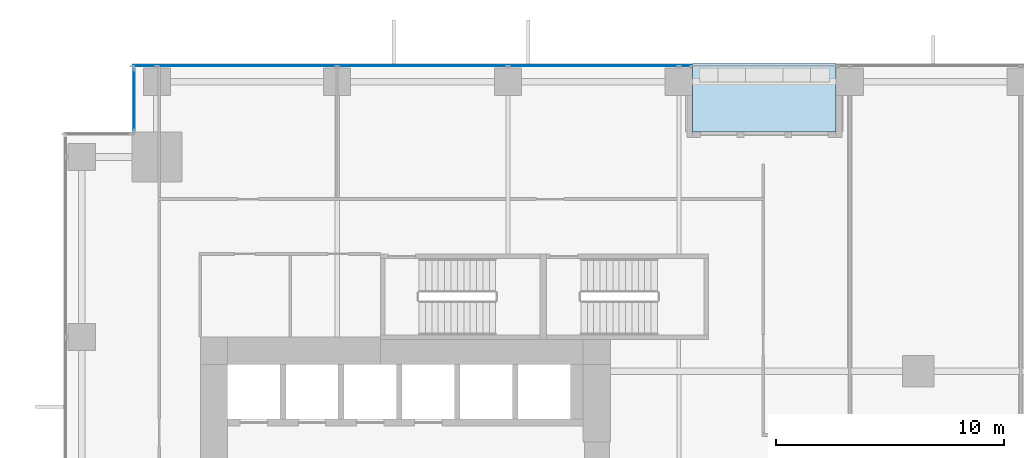
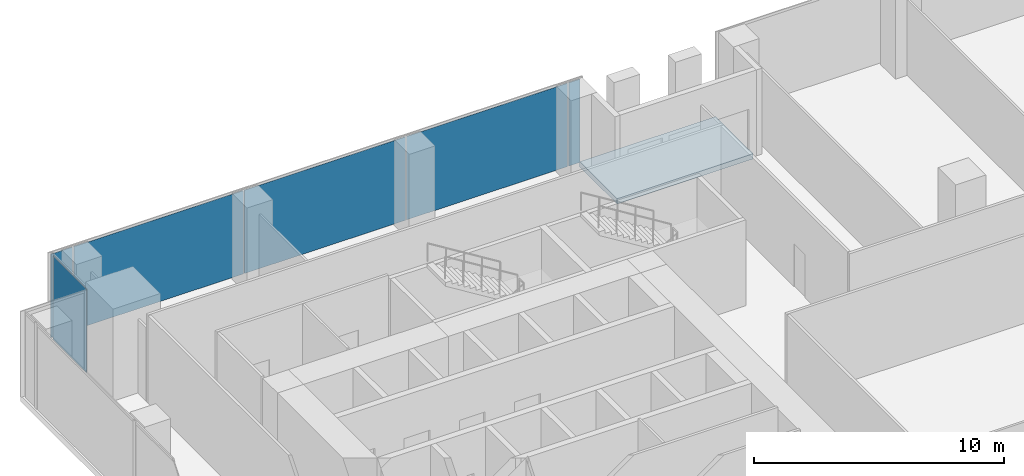
# One storey, part 25 of 33: 6 plates, 1 slab, 2 elements without a shape of their own.
"""IFC4 building model written with IfcOpenShell, lengths in metres."""

from ifc_helpers import new_model, si_unit, direction, frame, origin, origin_2d, place, context, subcontext, project, spatial, polyline, rectangle, outline, extrude, source, transform, mapped, material, layer, layer_set, type_object, element, aggregate, save


model = new_model("IFC4")

# Units and contexts
model_context = context("Model", 3, precision=1e-05, world=origin(), true_north=direction((0.0, 1.0)))
body_context = subcontext(model_context, "Body", "Model", "MODEL_VIEW")
ifc_project = project(units=[si_unit("LENGTHUNIT", "METRE"), si_unit("AREAUNIT", "SQUARE_METRE"), si_unit("VOLUMEUNIT", "CUBIC_METRE"), si_unit("PLANEANGLEUNIT", "RADIAN"), si_unit("MASSUNIT", "GRAM", prefix="KILO")], contexts=[model_context])

# Site, building, storey
site_placement = place(None, origin())
site = spatial("IfcSite", under=ifc_project, at=site_placement, CompositionType="ELEMENT")
building_placement = place(site_placement, origin())
building = spatial("IfcBuilding", under=site, at=building_placement, Name="Khomas Fold Tower", CompositionType="ELEMENT")
storey_placement = place(building_placement, frame((0.0, 0.0, 55.5)))
storey = spatial("IfcBuildingStorey", under=building, at=storey_placement, Name="L11", CompositionType="ELEMENT", Elevation=55.5)

# Curtain wall, plates
ifc_material_1 = material(Name="Aluminium framed double glazing", Category="aluminium")
curtain_wall_type = type_object("IfcCurtainWallType", Name="SK-Unitised clear-glass wall, growing floors CW1", PredefinedType="NOTDEFINED", material=ifc_material_1)
curtain_wall_1_placement = place(storey_placement, origin())
curtain_wall_1 = element("IfcCurtainWall", 1, at=curtain_wall_1_placement, inside=storey, type_object=curtain_wall_type, Name="CW1 run L11 06-1", PredefinedType="NOTDEFINED")
ifc_material_2 = material(Name="Clear double glazed unit")
ifc_layer_1 = layer(ifc_material_2, 0.031982421875)
ifc_layer_set_1 = layer_set([ifc_layer_1], Name="Clear double glazed unit")
plate_type = type_object("IfcPlateType", Name="SK-Unitised clear-glass wall, growing floors glass panel CW1-P", PredefinedType="CURTAIN_PANEL", material=ifc_layer_set_1)
shared_shape_1 = source(origin(), body_context, "Body", "SweptSolid", [
    extrude(rectangle(XDim=7.840087890625, YDim=0.031982421875, at=origin_2d()), origin(), (0.0, 0.0, 1.0), 4.080078125),
])
plate_1_placement = place(storey_placement, frame((8.050048828125, 53.89990234375, 0.0), z_axis=(0.0, 0.0, 1.0), x_axis=(-1.0, 0.0, 0.0)))
plate_1 = element("IfcPlate", 2, at=plate_1_placement, type_object=plate_type, Name="CW1 glass panel 4", PredefinedType="CURTAIN_PANEL", context=body_context, shape_type="MappedRepresentation", body=[
    mapped(shared_shape_1, transform((0.0, 0.0, 0.0))),
])
shared_shape_2 = source(origin(), body_context, "Body", "SweptSolid", [
    extrude(rectangle(XDim=7.43994140625, YDim=0.031982421875, at=origin_2d()), origin(), (0.0, 0.0, 1.0), 4.080078125),
])
plate_2_placement = place(storey_placement, frame((23.25, 53.89990234375, 0.0), z_axis=(0.0, 0.0, 1.0), x_axis=(-1.0, 0.0, 0.0)))
plate_2 = element("IfcPlate", 3, at=plate_2_placement, type_object=plate_type, Name="CW1 glass panel 2", PredefinedType="CURTAIN_PANEL", context=body_context, shape_type="MappedRepresentation", body=[
    mapped(shared_shape_2, transform((0.0, 0.0, 0.0))),
])
plate_3_placement = place(storey_placement, frame((15.75, 53.89990234375, 0.0), z_axis=(0.0, 0.0, 1.0), x_axis=(-1.0, 0.0, 0.0)))
plate_3 = element("IfcPlate", 4, at=plate_3_placement, type_object=plate_type, Name="CW1 glass panel 3", PredefinedType="CURTAIN_PANEL", context=body_context, shape_type="MappedRepresentation", body=[
    mapped(shared_shape_2, transform((0.0, 0.0, 0.0))),
])
shared_shape_3 = source(origin(), body_context, "Body", "SweptSolid", [
    extrude(rectangle(XDim=1.010009765625, YDim=0.031982421875, at=origin_2d()), origin(), (0.0, 0.0, 1.0), 4.080078125),
])
plate_4_placement = place(storey_placement, frame((3.56494140625, 53.89990234375, 0.0), z_axis=(0.0, 0.0, 1.0), x_axis=(-1.0, 0.0, 0.0)))
plate_4 = element("IfcPlate", 5, at=plate_4_placement, type_object=plate_type, Name="CW1 glass panel 5", PredefinedType="CURTAIN_PANEL", context=body_context, shape_type="MappedRepresentation", body=[
    mapped(shared_shape_3, transform((0.0, 0.0, 0.0))),
])

# Curtain wall, plate
curtain_wall_2_placement = place(storey_placement, origin())
curtain_wall_2 = element("IfcCurtainWall", 6, at=curtain_wall_2_placement, inside=storey, type_object=curtain_wall_type, Name="CW1 corner return L11 07", PredefinedType="NOTDEFINED")
shared_shape_4 = source(origin(), body_context, "Body", "SweptSolid", [
    extrude(rectangle(XDim=2.679931640625, YDim=0.031982421875, at=origin_2d()), origin(), (0.0, 0.0, 1.0), 4.080078125),
])
plate_5_placement = place(storey_placement, frame((3.10009765625, 52.39990234375, 0.0), z_axis=(0.0, 0.0, 1.0), x_axis=(0.0, -1.0, 0.0)))
plate_5 = element("IfcPlate", 7, at=plate_5_placement, type_object=plate_type, Name="CW1 glass panel 1", PredefinedType="CURTAIN_PANEL", context=body_context, shape_type="MappedRepresentation", body=[
    mapped(shared_shape_4, transform((0.0, 0.0, 0.0))),
])
aggregate(curtain_wall_2, [plate_5])

# Plate
shared_shape_5 = source(origin(), body_context, "Body", "SweptSolid", [
    extrude(rectangle(XDim=0.510009765625, YDim=0.031982421875, at=origin_2d()), origin(), (0.0, 0.0, 1.0), 4.080078125),
])
plate_6_placement = place(storey_placement, frame((27.284912109375, 53.89990234375, 0.0), z_axis=(0.0, 0.0, 1.0), x_axis=(-1.0, 0.0, 0.0)))
plate_6 = element("IfcPlate", 8, at=plate_6_placement, type_object=plate_type, Name="CW1 glass panel 1", PredefinedType="CURTAIN_PANEL", context=body_context, shape_type="MappedRepresentation", body=[
    mapped(shared_shape_5, transform((0.0, 0.0, 0.0))),
])

aggregate(curtain_wall_1, [plate_6, plate_2, plate_3, plate_1, plate_4])

# Slab
ifc_material_3 = material(Name="Concrete C40/50", Category="concrete")
ifc_layer_2 = layer(ifc_material_3, 0.2548828125)
ifc_layer_set_2 = layer_set([ifc_layer_2], Name="Concrete C40/50")
slab_type = type_object("IfcSlabType", Name="BL-Balcony deck 255", PredefinedType="FLOOR", material=ifc_layer_set_2)
shared_shape_6 = source(origin(), body_context, "Body", "SweptSolid", [
    extrude(outline(polyline([(27.60009765625, 51.0), (33.89990234375, 51.0), (33.89990234375, 54.0), (27.60009765625, 54.0), (27.60009765625, 51.0)])), origin(), (0.0, 0.0, 1.0), 0.255126953125),
])
slab_placement = place(storey_placement, frame((0.0, 0.0, -0.300048828125)))
element("IfcSlab", 9, at=slab_placement, inside=storey, type_object=slab_type, Name="Balcony deck BAL-L11-N3", PredefinedType="FLOOR", context=body_context, shape_type="MappedRepresentation", body=[
    mapped(shared_shape_6, transform((0.0, 0.0, 0.0))),
])

save(model, "model.ifc")
